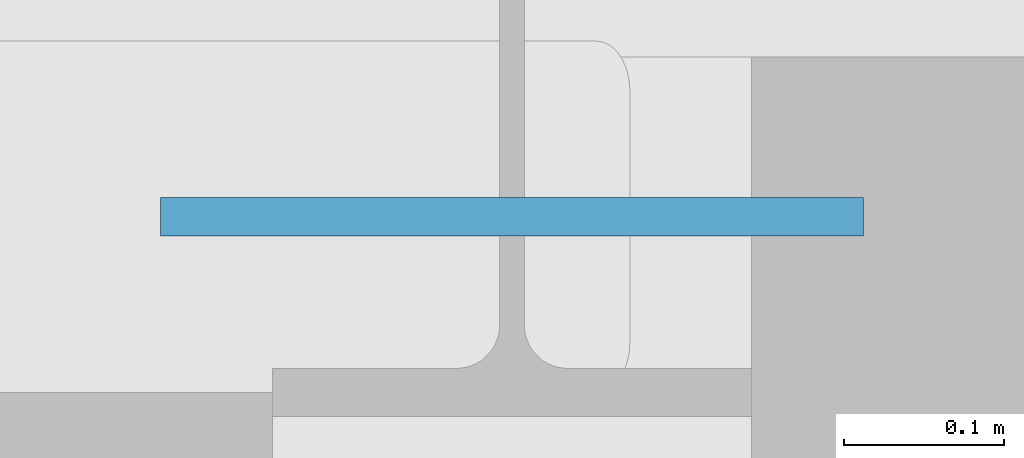
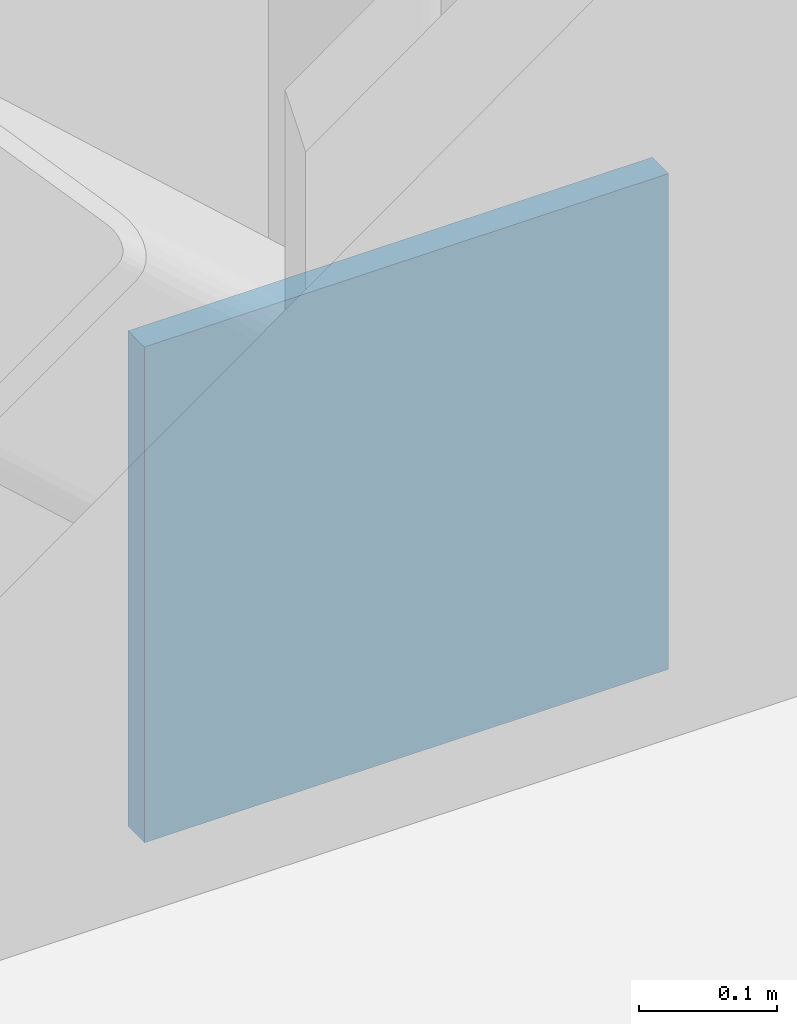
# One storey, part 76 of 101: 1 plate.
"""IFC4 building model written with IfcOpenShell, lengths in metres."""

from ifc_helpers import new_model, si_unit, derived_unit, direction, frame, origin, origin_2d, place, context, subcontext, project, spatial, rectangle, extrude, material, layer, layer_set, type_object, element, save


model = new_model("IFC4")

# Units and contexts
model_context = context("Model", 3, precision=1e-05, world=origin(), true_north=direction((0.0, 1.0)))
body_context = subcontext(model_context, "Body", "Model", "MODEL_VIEW")
ifc_project = project(units=[si_unit("LENGTHUNIT", "METRE"), si_unit("AREAUNIT", "SQUARE_METRE"), si_unit("VOLUMEUNIT", "CUBIC_METRE"), si_unit("PLANEANGLEUNIT", "RADIAN"), si_unit("MASSUNIT", "GRAM", prefix="KILO"), derived_unit("THERMALTRANSMITTANCEUNIT", [(si_unit("POWERUNIT", "WATT"), 1), (si_unit("AREAUNIT", "SQUARE_METRE"), -1), (si_unit("THERMODYNAMICTEMPERATUREUNIT", "KELVIN"), -1)])], contexts=[model_context])

# Site, building, storey
site_placement = place(None, origin())
site = spatial("IfcSite", under=ifc_project, at=site_placement, CompositionType="ELEMENT")
building_placement = place(site_placement, origin())
building = spatial("IfcBuilding", under=site, at=building_placement, Name="Yasenodar Specialist Clinic", CompositionType="ELEMENT")
storey_placement = place(building_placement, origin())
storey = spatial("IfcBuildingStorey", under=building, at=storey_placement, Name="L00", CompositionType="ELEMENT", Elevation=0.0)

# Plate
ifc_material = material(Name="Steel S355", Category="steel")
ifc_layer = layer(ifc_material, 0.02392578125)
ifc_layer_set = layer_set([ifc_layer], Name="Steel S355")
plate_type = type_object("IfcPlateType", Name="PL-STEEL-01", PredefinedType="SHEET", material=ifc_layer_set)
plate_placement = place(storey_placement, frame((105.0, 111.425048828125, -0.070068359375), z_axis=(0.0, 0.0, 1.0), x_axis=(1.0, 0.0, 0.0)))
element("IfcPlate", 1, at=plate_placement, inside=storey, type_object=plate_type, Name="L00 Hollow Section End-Cap Plate 0032", PredefinedType="SHEET", context=body_context, shape_type="SweptSolid", body=[
    extrude(rectangle(XDim=0.43994140625, YDim=0.02392578125, at=origin_2d()), origin(), (0.0, 0.0, 1.0), 0.43994140625),
])

save(model, "model.ifc")
